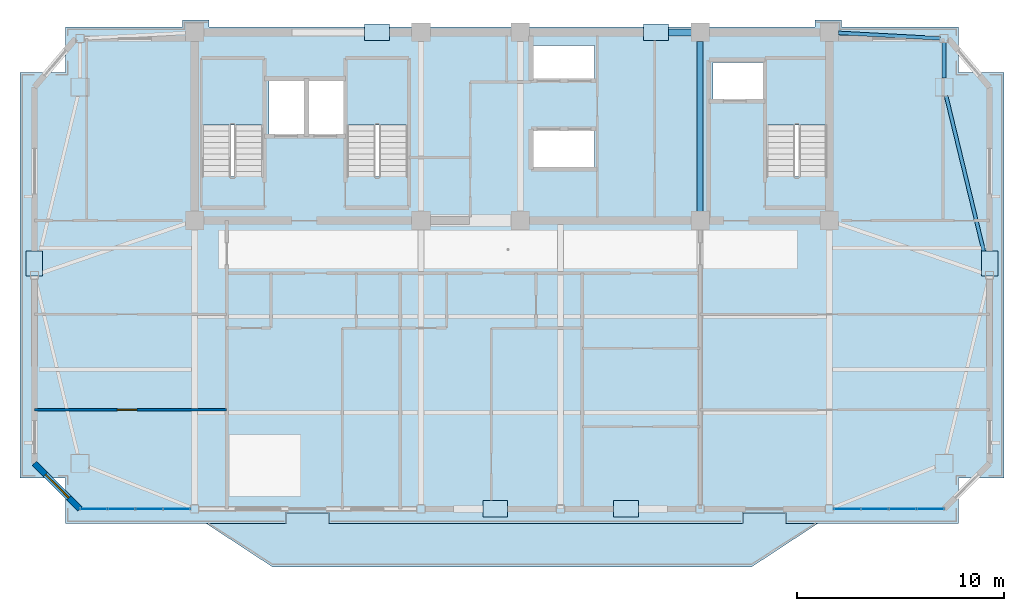
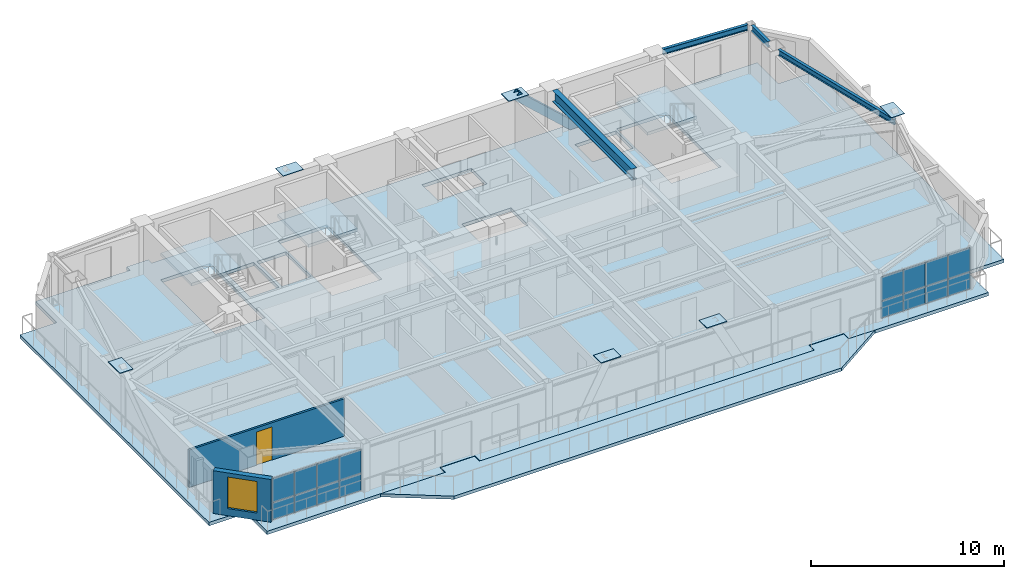
# One storey, part 5 of 13: 22 plates, 5 slabs, 4 beams, 2 walls, 1 door, 1 member, 1 window, 2 openings, 5 elements without a shape of their own.
"""IFC4 building model written with IfcOpenShell, lengths in metres."""

from ifc_helpers import new_model, si_unit, direction, frame, frame_2d, origin, origin_2d, place, context, subcontext, project, spatial, polyline, rectangle, hollow_rectangle, i_section, outline, extrude, source, transform, mapped, material, layer, layer_set, material_profile, profile_set, type_object, element, fill, aggregate, save


model = new_model("IFC4")

# Units and contexts
model_context = context("Model", 3, precision=1e-05, world=origin(), true_north=direction((0.0, 1.0)))
body_context = subcontext(model_context, "Body", "Model", "MODEL_VIEW")
ifc_project = project(units=[si_unit("LENGTHUNIT", "METRE"), si_unit("AREAUNIT", "SQUARE_METRE"), si_unit("VOLUMEUNIT", "CUBIC_METRE"), si_unit("PLANEANGLEUNIT", "RADIAN"), si_unit("MASSUNIT", "GRAM", prefix="KILO")], contexts=[model_context])

# Site, building, storey
site_placement = place(None, origin())
site = spatial("IfcSite", under=ifc_project, at=site_placement, CompositionType="ELEMENT")
building_placement = place(site_placement, origin())
building = spatial("IfcBuilding", under=site, at=building_placement, Name="Giltprow Tower", CompositionType="ELEMENT")
storey_placement = place(building_placement, frame((0.0, 0.0, 349.300048828125)))
storey = spatial("IfcBuildingStorey", under=building, at=storey_placement, Name="L91", CompositionType="ELEMENT", Elevation=349.300048828125)

# Beams
ifc_material_1 = material(Name="Structural steel Q355B", Category="steel")
ifc_material_profile_1 = material_profile(ifc_material_1, i_section(OverallWidth=0.300048828125, OverallDepth=0.699951171875, WebThickness=0.012939453125, FlangeThickness=0.02392578125, at=origin_2d()), Name="HN 700x300x13x24")
ifc_profile_set_1 = profile_set([ifc_material_profile_1], Name="Structural steel Q355B")
beam_type_1 = type_object("IfcBeamType", Name="BM-GIRD-HN700", PredefinedType="BEAM", material=ifc_profile_set_1)
shared_shape_1 = source(origin(), body_context, "Body", "SweptSolid", [
    extrude(i_section(OverallWidth=0.300048828125, OverallDepth=0.699951171875, WebThickness=0.012939453125, FlangeThickness=0.02392578125, at=origin_2d()), origin(), (0.0, 0.0, 1.0), 8.22998046875),
])
beam_1_placement = place(storey_placement, frame((44.300048828125, 37.885009765625, 2.72998046875), z_axis=(0.0, 1.0, 0.0), x_axis=(-1.0, 0.0, 0.0)))
element("IfcBeam", 1, at=beam_1_placement, inside=storey, type_object=beam_type_1, Name="L91 Core Tie Girder M3", PredefinedType="BEAM", context=body_context, shape_type="MappedRepresentation", body=[
    mapped(shared_shape_1, transform((0.0, 0.0, 0.0), x_axis=(1.0, 0.0, 0.0), y_axis=(0.0, 1.0, 0.0), z_axis=(0.0, 0.0, 1.0), scale=1.0)),
])
ifc_material_profile_2 = material_profile(ifc_material_1, i_section(OverallWidth=0.175048828125, OverallDepth=0.35009765625, WebThickness=0.007080078125, FlangeThickness=0.010986328125, at=origin_2d()), Name="HN 350x175x7x11")
ifc_profile_set_2 = profile_set([ifc_material_profile_2], Name="Structural steel Q355B")
beam_type_2 = type_object("IfcBeamType", Name="BM-SPAN-HN350", PredefinedType="SPANDREL", material=ifc_profile_set_2)
shared_shape_2 = source(origin(), body_context, "Body", "SweptSolid", [
    extrude(i_section(OverallWidth=0.175048828125, OverallDepth=0.35009765625, WebThickness=0.007080078125, FlangeThickness=0.010986328125, at=origin_2d()), origin(), (0.0, 0.0, 1.0), 8.7421875),
])
beam_2_placement = place(storey_placement, frame((58.257080078125, 34.97998046875, 2.905029296875), z_axis=(-0.235090039637, 0.971973596999, 0.0), x_axis=(-0.971973596999, -0.235090039637, 0.0)))
element("IfcBeam", 2, at=beam_2_placement, inside=storey, type_object=beam_type_2, Name="L91 Perimeter Spandrel Beam E_MID-MC_NE", PredefinedType="SPANDREL", context=body_context, shape_type="MappedRepresentation", body=[
    mapped(shared_shape_2, transform((0.0, 0.0, 0.0), x_axis=(1.0, 0.0, 0.0), y_axis=(0.0, 1.0, 0.0), z_axis=(0.0, 0.0, 1.0), scale=1.0)),
])
shared_shape_3 = source(origin(), body_context, "Body", "SweptSolid", [
    extrude(i_section(OverallWidth=0.175048828125, OverallDepth=0.35009765625, WebThickness=0.007080078125, FlangeThickness=0.010986328125, at=origin_2d()), origin(), (0.0, 0.0, 1.0), 1.72998046875),
])
beam_3_placement = place(storey_placement, frame((56.10009765625, 44.3349609375, 2.905029296875), z_axis=(0.0, 1.0, 0.0), x_axis=(-1.0, 0.0, 0.0)))
element("IfcBeam", 3, at=beam_3_placement, inside=storey, type_object=beam_type_2, Name="L91 Perimeter Spandrel Beam MC_NE-N_E", PredefinedType="SPANDREL", context=body_context, shape_type="MappedRepresentation", body=[
    mapped(shared_shape_3, transform((0.0, 0.0, 0.0), x_axis=(1.0, 0.0, 0.0), y_axis=(0.0, 1.0, 0.0), z_axis=(0.0, 0.0, 1.0), scale=1.0)),
])
shared_shape_4 = source(origin(), body_context, "Body", "SweptSolid", [
    extrude(i_section(OverallWidth=0.175048828125, OverallDepth=0.35009765625, WebThickness=0.007080078125, FlangeThickness=0.010986328125, at=origin_2d()), origin(), (0.0, 0.0, 1.0), 4.9384765625),
])
beam_4_placement = place(storey_placement, frame((50.98388671875, 46.527099609375, 2.905029296875), z_axis=(0.99853636218, -0.054084502437, 0.0), x_axis=(0.054084502437, 0.99853636218, 0.0)))
element("IfcBeam", 4, at=beam_4_placement, inside=storey, type_object=beam_type_2, Name="L91 North Wing Spandrel E", PredefinedType="SPANDREL", context=body_context, shape_type="MappedRepresentation", body=[
    mapped(shared_shape_4, transform((0.0, 0.0, 0.0), x_axis=(1.0, 0.0, 0.0), y_axis=(0.0, 1.0, 0.0), z_axis=(0.0, 0.0, 1.0), scale=1.0)),
])

# Member
ifc_material_2 = material(Name="Structural steel Q420GJC", Category="steel")
ifc_material_profile_3 = material_profile(ifc_material_2, hollow_rectangle(XDim=0.35009765625, YDim=0.5, WallThickness=0.02392578125, at=origin_2d()), Name="RHS 500x350x24")
ifc_profile_set_3 = profile_set([ifc_material_profile_3], Name="Structural steel Q420GJC")
member_type = type_object("IfcMemberType", Name="MBR-MEGA-RHS500", PredefinedType="BRACE", material=ifc_profile_set_3)
shared_shape_5 = source(origin(), body_context, "Body", "SweptSolid", [
    extrude(hollow_rectangle(XDim=0.35009765625, YDim=0.5, WallThickness=0.02392578125, at=origin_2d()), origin(), (0.0, 0.0, 1.0), 5.0390625),
])
member_placement = place(storey_placement, frame((45.881103515625, 46.550048828125, -0.14013671875), z_axis=(-0.738036395034, 0.0, 0.67476090551), x_axis=(0.0, -1.0, 0.0)))
element("IfcMember", 5, at=member_placement, inside=storey, type_object=member_type, Name="L91 Chevron Mega-Brace N-R", PredefinedType="BRACE", context=body_context, shape_type="MappedRepresentation", body=[
    mapped(shared_shape_5, transform((0.0, 0.0, 0.0), x_axis=(1.0, 0.0, 0.0), y_axis=(0.0, 1.0, 0.0), z_axis=(0.0, 0.0, 1.0), scale=1.0)),
])

# Slabs
ifc_material_3 = material(Name="Concrete C40", Category="concrete")
ifc_layer_1 = layer(ifc_material_3, 0.199951171875, Name="Concrete C40")
ifc_layer_set_1 = layer_set([ifc_layer_1], Name="Concrete C40")
slab_type_1 = type_object("IfcSlabType", Name="SLB-BALC-BRONZE-200", PredefinedType="FLOOR", material=ifc_layer_set_1)
slab_1_placement = place(storey_placement, frame((0.0, 0.0, -0.199951171875)))
element("IfcSlab", 6, at=slab_1_placement, inside=storey, type_object=slab_type_1, Name="L91 Bronze Prow Waterfront Balcony Slab", PredefinedType="FLOOR", context=body_context, shape_type="SweptSolid", body=[
    extrude(outline(polyline([(50.0, 22.800048828125), (46.800048828125, 20.699951171875), (23.60009765625, 20.699951171875), (20.39990234375, 22.800048828125), (24.280029296875, 22.800048828125), (24.280029296875, 23.300048828125), (26.320068359375, 23.300048828125), (26.320068359375, 22.800048828125), (46.3798828125, 22.800048828125), (46.3798828125, 23.300048828125), (48.419921875, 23.300048828125), (48.419921875, 22.800048828125), (50.0, 22.800048828125)])), origin(), (0.0, 0.0, 1.0), 0.199951171875),
])
ifc_layer_2 = layer(ifc_material_3, 0.215087890625, Name="Concrete C40")
ifc_layer_set_2 = layer_set([ifc_layer_2], Name="Concrete C40")
slab_type_2 = type_object("IfcSlabType", Name="SLB-RES-215", PredefinedType="FLOOR", material=ifc_layer_set_2)
slab_2_placement = place(storey_placement, frame((0.0, 0.0, -0.215087890625)))
element("IfcSlab", 7, at=slab_2_placement, inside=storey, type_object=slab_type_2, Name="L91 Structural Composite Floor Slab", PredefinedType="FLOOR", context=body_context, shape_type="SweptSolid", body=[
    extrude(outline(polyline([(59.0, 44.60009765625), (59.0, 25.0), (56.800048828125, 25.0), (56.800048828125, 22.800048828125), (48.449951171875, 22.800048828125), (48.449951171875, 23.320068359375), (46.35009765625, 23.320068359375), (46.35009765625, 22.800048828125), (26.35009765625, 22.800048828125), (26.35009765625, 23.320068359375), (24.25, 23.320068359375), (24.25, 22.800048828125), (13.60009765625, 22.800048828125), (13.60009765625, 25.0), (11.39990234375, 25.0), (11.39990234375, 44.60009765625), (13.60009765625, 44.60009765625), (13.60009765625, 46.800048828125), (19.25, 46.800048828125), (19.25, 47.14990234375), (20.550048828125, 47.14990234375), (20.550048828125, 46.800048828125), (49.85009765625, 46.800048828125), (49.85009765625, 47.14990234375), (51.14990234375, 47.14990234375), (51.14990234375, 46.800048828125), (56.800048828125, 46.800048828125), (56.800048828125, 44.60009765625), (59.0, 44.60009765625)]), holes=[polyline([(39.18994140625, 41.800048828125), (36.239990234375, 41.800048828125), (36.239990234375, 40.0), (39.18994140625, 40.0), (39.18994140625, 41.800048828125)]), polyline([(23.159912109375, 39.570068359375), (23.159912109375, 45.25), (20.199951171875, 45.25), (20.199951171875, 39.570068359375), (23.159912109375, 39.570068359375)]), polyline([(30.159912109375, 39.570068359375), (30.159912109375, 45.25), (27.199951171875, 45.25), (27.199951171875, 39.570068359375), (30.159912109375, 39.570068359375)]), polyline([(50.4599609375, 45.25), (47.5, 45.25), (47.5, 39.570068359375), (50.4599609375, 39.570068359375), (50.4599609375, 45.25)]), polyline([(25.169921875, 44.199951171875), (23.449951171875, 44.199951171875), (23.449951171875, 41.60009765625), (25.169921875, 41.60009765625), (25.169921875, 44.199951171875)]), polyline([(27.10009765625, 44.199951171875), (25.35009765625, 44.199951171875), (25.35009765625, 41.60009765625), (27.10009765625, 41.60009765625), (27.10009765625, 44.199951171875)]), polyline([(47.3798828125, 43.300048828125), (47.3798828125, 45.10009765625), (44.919921875, 45.10009765625), (44.919921875, 43.300048828125), (47.3798828125, 43.300048828125)]), polyline([(39.18994140625, 44.300048828125), (39.18994140625, 45.919921875), (36.239990234375, 45.919921875), (36.239990234375, 44.300048828125), (39.18994140625, 44.300048828125)])]), origin(), (0.0, 0.0, 1.0), 0.215087890625),
])

# Stair, slab
stair_type_1 = type_object("IfcStairType", Name="STR-ST-1", PredefinedType="HALF_TURN_STAIR", material=ifc_material_3)
stair_1_placement = place(storey_placement, origin())
stair_1 = element("IfcStair", 8, at=stair_1_placement, inside=storey, type_object=stair_type_1, Name="L91 Core Exit Stair ST-1", PredefinedType="HALF_TURN_STAIR")
ifc_layer_3 = layer(ifc_material_3, 0.179931640625, Name="Concrete C40")
ifc_layer_set_3 = layer_set([ifc_layer_3], Name="Concrete C40")
slab_type_3 = type_object("IfcSlabType", Name="SLD-ST-1", PredefinedType="LANDING", material=ifc_layer_set_3)
slab_3_placement = place(storey_placement, frame((0.0, 0.0, 1.52001953125)))
slab_3 = element("IfcSlab", 9, at=slab_3_placement, type_object=slab_type_3, Name="ST-1 landing 1", PredefinedType="LANDING", context=body_context, shape_type="SweptSolid", body=[
    extrude(outline(polyline([(23.159912109375, 42.070068359375), (23.159912109375, 45.25), (20.199951171875, 45.25), (20.199951171875, 42.070068359375), (23.159912109375, 42.070068359375)])), origin(), (0.0, 0.0, 1.0), 0.179931640625),
])
aggregate(stair_1, [slab_3])

stair_type_2 = type_object("IfcStairType", Name="STR-ST-2", PredefinedType="HALF_TURN_STAIR", material=ifc_material_3)
stair_2_placement = place(storey_placement, origin())
stair_2 = element("IfcStair", 10, at=stair_2_placement, inside=storey, type_object=stair_type_2, Name="L91 Core Exit Stair ST-2", PredefinedType="HALF_TURN_STAIR")
ifc_layer_4 = layer(ifc_material_3, 0.18798828125, Name="Concrete C40")
ifc_layer_set_4 = layer_set([ifc_layer_4], Name="Concrete C40")
slab_type_4 = type_object("IfcSlabType", Name="SLD-ST-2", PredefinedType="LANDING", material=ifc_layer_set_4)
slab_4_placement = place(storey_placement, frame((0.0, 0.0, 1.511962890625)))
slab_4 = element("IfcSlab", 11, at=slab_4_placement, type_object=slab_type_4, Name="ST-2 landing 1", PredefinedType="LANDING", context=body_context, shape_type="SweptSolid", body=[
    extrude(outline(polyline([(30.159912109375, 42.070068359375), (30.159912109375, 45.25), (27.199951171875, 45.25), (27.199951171875, 42.070068359375), (30.159912109375, 42.070068359375)])), origin(), (0.0, 0.0, 1.0), 0.18798828125),
])
aggregate(stair_2, [slab_4])

stair_type_3 = type_object("IfcStairType", Name="STR-ST-3", PredefinedType="HALF_TURN_STAIR", material=ifc_material_3)
stair_3_placement = place(storey_placement, origin())
stair_3 = element("IfcStair", 12, at=stair_3_placement, inside=storey, type_object=stair_type_3, Name="L91 Core Exit Stair ST-3", PredefinedType="HALF_TURN_STAIR")
ifc_layer_5 = layer(ifc_material_3, 0.196044921875, Name="Concrete C40")
ifc_layer_set_5 = layer_set([ifc_layer_5], Name="Concrete C40")
slab_type_5 = type_object("IfcSlabType", Name="SLD-ST-3", PredefinedType="LANDING", material=ifc_layer_set_5)
slab_5_placement = place(storey_placement, frame((0.0, 0.0, 1.50390625)))
slab_5 = element("IfcSlab", 13, at=slab_5_placement, type_object=slab_type_5, Name="ST-3 landing 1", PredefinedType="LANDING", context=body_context, shape_type="SweptSolid", body=[
    extrude(outline(polyline([(50.4599609375, 42.070068359375), (50.4599609375, 45.25), (47.5, 45.25), (47.5, 42.070068359375), (50.4599609375, 42.070068359375)])), origin(), (0.0, 0.0, 1.0), 0.196044921875),
])
aggregate(stair_3, [slab_5])

# Plates
plate_type_1 = type_object("IfcPlateType", Name="PLT-CAP-SEAL", PredefinedType="USERDEFINED", material=ifc_material_2)
shared_shape_6 = source(origin(), body_context, "Body", "SweptSolid", [
    extrude(rectangle(XDim=1.199951171875, YDim=0.800048828125, at=origin_2d()), origin(), (0.0, 0.0, 1.0), 0.034912109375),
])
for number, where, z_axis, x_axis, name in (
    (14, (34.385986328125, 23.5, 3.38232421875), (0.0, 0.0, 1.0), (1.0, 0.0, 0.0), "Mega-Brace Node L91-S-LB"),
    (15, (40.714111328125, 23.5, 3.38232421875), (0.0, 0.0, 1.0), (1.0, 0.0, 0.0), "Mega-Brace Node L91-S-RB"),
    (16, (28.6630859375, 46.550048828125, 3.24267578125), (0.0, 0.0, 1.0), (1.0, 0.0, 0.0), "Mega-Brace Node L91-N-LB"),
    (17, (42.162109375, 46.550048828125, 3.24267578125), (0.0, 0.0, 1.0), (1.0, 0.0, 0.0), "Mega-Brace Node L91-N-RB"),
    (18, (12.10009765625, 35.368896484375, 3.38232421875), (0.0, 0.0, 1.0), (0.0, 1.0, 0.0), "Mega-Brace Node L91-W-DB"),
    (19, (58.300048828125, 35.368896484375, 3.38232421875), (0.0, 0.0, 1.0), (0.0, 1.0, 0.0), "Mega-Brace Node L91-E-DB"),
):
    element("IfcPlate", number, at=place(storey_placement, frame(where, z_axis=z_axis, x_axis=x_axis)), inside=storey, type_object=plate_type_1, Name=name, ObjectType="SPLICE", PredefinedType="USERDEFINED", context=body_context, shape_type="MappedRepresentation", body=[
        mapped(shared_shape_6, transform((0.0, 0.0, 0.0), x_axis=(1.0, 0.0, 0.0), y_axis=(0.0, 1.0, 0.0), z_axis=(0.0, 0.0, 1.0), scale=1.0)),
    ])

# Curtain wall, plates
ifc_material_4 = material(Name="Anodized bronze", Category="metal")
ifc_layer_6 = layer(ifc_material_4, 0.179931640625, Name="Anodized bronze")
ifc_layer_set_6 = layer_set([ifc_layer_6], Name="Anodized bronze")
curtain_wall_type = type_object("IfcCurtainWallType", Name="CW-RES-SKY", PredefinedType="NOTDEFINED", material=ifc_layer_set_6)
curtain_wall_1_placement = place(storey_placement, origin())
curtain_wall_1 = element("IfcCurtainWall", 20, at=curtain_wall_1_placement, inside=storey, type_object=curtain_wall_type, Name="L91 South Recessed Curtain Wall 1", PredefinedType="NOTDEFINED")
ifc_material_5 = material(Name="Insulated glass", Category="glass")
plate_type_2 = type_object("IfcPlateType", Name="CW-PANEL-IGU-28", PredefinedType="CURTAIN_PANEL", material=ifc_material_5)
shared_shape_7 = source(origin(), body_context, "Body", "SweptSolid", [
    extrude(rectangle(XDim=1.306884765625, YDim=0.028076171875, at=origin_2d()), origin(), (0.0, 0.0, 1.0), 1.070068359375),
])
plate_1_placement = place(storey_placement, frame((14.968994140625, 23.5, 0.0537109375), z_axis=(0.0, 0.0, 1.0), x_axis=(1.0, 0.0, 0.0)))
plate_1 = element("IfcPlate", 21, at=plate_1_placement, type_object=plate_type_2, Name="L91 South Recessed Curtain Wall 1 Glazing Panel 1-1", PredefinedType="CURTAIN_PANEL", context=body_context, shape_type="MappedRepresentation", body=[
    mapped(shared_shape_7, transform((0.0, 0.0, 0.0), x_axis=(1.0, 0.0, 0.0), y_axis=(0.0, 1.0, 0.0), z_axis=(0.0, 0.0, 1.0), scale=1.0)),
])
plate_2_placement = place(storey_placement, frame((16.305908203125, 23.5, 0.0537109375), z_axis=(0.0, 0.0, 1.0), x_axis=(1.0, 0.0, 0.0)))
plate_2 = element("IfcPlate", 22, at=plate_2_placement, type_object=plate_type_2, Name="L91 South Recessed Curtain Wall 1 Glazing Panel 2-1", PredefinedType="CURTAIN_PANEL", context=body_context, shape_type="MappedRepresentation", body=[
    mapped(shared_shape_7, transform((0.0, 0.0, 0.0), x_axis=(1.0, 0.0, 0.0), y_axis=(0.0, 1.0, 0.0), z_axis=(0.0, 0.0, 1.0), scale=1.0)),
])
plate_3_placement = place(storey_placement, frame((17.64404296875, 23.5, 0.0537109375), z_axis=(0.0, 0.0, 1.0), x_axis=(1.0, 0.0, 0.0)))
plate_3 = element("IfcPlate", 23, at=plate_3_placement, type_object=plate_type_2, Name="L91 South Recessed Curtain Wall 1 Glazing Panel 3-1", PredefinedType="CURTAIN_PANEL", context=body_context, shape_type="MappedRepresentation", body=[
    mapped(shared_shape_7, transform((0.0, 0.0, 0.0), x_axis=(1.0, 0.0, 0.0), y_axis=(0.0, 1.0, 0.0), z_axis=(0.0, 0.0, 1.0), scale=1.0)),
])
plate_4_placement = place(storey_placement, frame((18.98095703125, 23.5, 0.0537109375), z_axis=(0.0, 0.0, 1.0), x_axis=(1.0, 0.0, 0.0)))
plate_4 = element("IfcPlate", 24, at=plate_4_placement, type_object=plate_type_2, Name="L91 South Recessed Curtain Wall 1 Glazing Panel 4-1", PredefinedType="CURTAIN_PANEL", context=body_context, shape_type="MappedRepresentation", body=[
    mapped(shared_shape_7, transform((0.0, 0.0, 0.0), x_axis=(1.0, 0.0, 0.0), y_axis=(0.0, 1.0, 0.0), z_axis=(0.0, 0.0, 1.0), scale=1.0)),
])

curtain_wall_2_placement = place(storey_placement, origin())
curtain_wall_2 = element("IfcCurtainWall", 25, at=curtain_wall_2_placement, inside=storey, type_object=curtain_wall_type, Name="L91 South Recessed Curtain Wall 6", PredefinedType="NOTDEFINED")
plate_5_placement = place(storey_placement, frame((54.093994140625, 23.5, 0.0537109375), z_axis=(0.0, 0.0, 1.0), x_axis=(1.0, 0.0, 0.0)))
plate_5 = element("IfcPlate", 26, at=plate_5_placement, type_object=plate_type_2, Name="L91 South Recessed Curtain Wall 6 Glazing Panel 3-1", PredefinedType="CURTAIN_PANEL", context=body_context, shape_type="MappedRepresentation", body=[
    mapped(shared_shape_7, transform((0.0, 0.0, 0.0), x_axis=(1.0, 0.0, 0.0), y_axis=(0.0, 1.0, 0.0), z_axis=(0.0, 0.0, 1.0), scale=1.0)),
])
plate_6_placement = place(storey_placement, frame((55.430908203125, 23.5, 0.0537109375), z_axis=(0.0, 0.0, 1.0), x_axis=(1.0, 0.0, 0.0)))
plate_6 = element("IfcPlate", 27, at=plate_6_placement, type_object=plate_type_2, Name="L91 South Recessed Curtain Wall 6 Glazing Panel 4-1", PredefinedType="CURTAIN_PANEL", context=body_context, shape_type="MappedRepresentation", body=[
    mapped(shared_shape_7, transform((0.0, 0.0, 0.0), x_axis=(1.0, 0.0, 0.0), y_axis=(0.0, 1.0, 0.0), z_axis=(0.0, 0.0, 1.0), scale=1.0)),
])

# Plate
shared_shape_8 = source(origin(), body_context, "Body", "SweptSolid", [
    extrude(rectangle(XDim=1.306884765625, YDim=0.028076171875, at=origin_2d()), origin(), (0.0, 0.0, 1.0), 1.50390625),
])
plate_7_placement = place(storey_placement, frame((14.968994140625, 23.5, 1.152099609375), z_axis=(0.0, 0.0, 1.0), x_axis=(1.0, 0.0, 0.0)))
plate_7 = element("IfcPlate", 28, at=plate_7_placement, type_object=plate_type_2, Name="L91 South Recessed Curtain Wall 1 Glazing Panel 1-2", PredefinedType="CURTAIN_PANEL", context=body_context, shape_type="MappedRepresentation", body=[
    mapped(shared_shape_8, transform((0.0, 0.0, 0.0), x_axis=(1.0, 0.0, 0.0), y_axis=(0.0, 1.0, 0.0), z_axis=(0.0, 0.0, 1.0), scale=1.0)),
])

plate_8_placement = place(storey_placement, frame((16.305908203125, 23.5, 1.152099609375), z_axis=(0.0, 0.0, 1.0), x_axis=(1.0, 0.0, 0.0)))
plate_8 = element("IfcPlate", 29, at=plate_8_placement, type_object=plate_type_2, Name="L91 South Recessed Curtain Wall 1 Glazing Panel 2-2", PredefinedType="CURTAIN_PANEL", context=body_context, shape_type="MappedRepresentation", body=[
    mapped(shared_shape_8, transform((0.0, 0.0, 0.0), x_axis=(1.0, 0.0, 0.0), y_axis=(0.0, 1.0, 0.0), z_axis=(0.0, 0.0, 1.0), scale=1.0)),
])

plate_9_placement = place(storey_placement, frame((17.64404296875, 23.5, 1.152099609375), z_axis=(0.0, 0.0, 1.0), x_axis=(1.0, 0.0, 0.0)))
plate_9 = element("IfcPlate", 30, at=plate_9_placement, type_object=plate_type_2, Name="L91 South Recessed Curtain Wall 1 Glazing Panel 3-2", PredefinedType="CURTAIN_PANEL", context=body_context, shape_type="MappedRepresentation", body=[
    mapped(shared_shape_8, transform((0.0, 0.0, 0.0), x_axis=(1.0, 0.0, 0.0), y_axis=(0.0, 1.0, 0.0), z_axis=(0.0, 0.0, 1.0), scale=1.0)),
])

plate_10_placement = place(storey_placement, frame((18.98095703125, 23.5, 1.152099609375), z_axis=(0.0, 0.0, 1.0), x_axis=(1.0, 0.0, 0.0)))
plate_10 = element("IfcPlate", 31, at=plate_10_placement, type_object=plate_type_2, Name="L91 South Recessed Curtain Wall 1 Glazing Panel 4-2", PredefinedType="CURTAIN_PANEL", context=body_context, shape_type="MappedRepresentation", body=[
    mapped(shared_shape_8, transform((0.0, 0.0, 0.0), x_axis=(1.0, 0.0, 0.0), y_axis=(0.0, 1.0, 0.0), z_axis=(0.0, 0.0, 1.0), scale=1.0)),
])

aggregate(curtain_wall_1, [plate_1, plate_7, plate_2, plate_8, plate_3, plate_9, plate_4, plate_10])

plate_11_placement = place(storey_placement, frame((54.093994140625, 23.5, 1.152099609375), z_axis=(0.0, 0.0, 1.0), x_axis=(1.0, 0.0, 0.0)))
plate_11 = element("IfcPlate", 32, at=plate_11_placement, type_object=plate_type_2, Name="L91 South Recessed Curtain Wall 6 Glazing Panel 3-2", PredefinedType="CURTAIN_PANEL", context=body_context, shape_type="MappedRepresentation", body=[
    mapped(shared_shape_8, transform((0.0, 0.0, 0.0), x_axis=(1.0, 0.0, 0.0), y_axis=(0.0, 1.0, 0.0), z_axis=(0.0, 0.0, 1.0), scale=1.0)),
])

plate_12_placement = place(storey_placement, frame((55.430908203125, 23.5, 1.152099609375), z_axis=(0.0, 0.0, 1.0), x_axis=(1.0, 0.0, 0.0)))
plate_12 = element("IfcPlate", 33, at=plate_12_placement, type_object=plate_type_2, Name="L91 South Recessed Curtain Wall 6 Glazing Panel 4-2", PredefinedType="CURTAIN_PANEL", context=body_context, shape_type="MappedRepresentation", body=[
    mapped(shared_shape_8, transform((0.0, 0.0, 0.0), x_axis=(1.0, 0.0, 0.0), y_axis=(0.0, 1.0, 0.0), z_axis=(0.0, 0.0, 1.0), scale=1.0)),
])

shared_shape_9 = source(origin(), body_context, "Body", "SweptSolid", [
    extrude(rectangle(XDim=1.30810546875, YDim=0.028076171875, at=origin_2d()), origin(), (0.0, 0.0, 1.0), 1.070068359375),
])
plate_13_placement = place(storey_placement, frame((51.4189453125, 23.5, 0.0537109375), z_axis=(0.0, 0.0, 1.0), x_axis=(1.0, 0.0, 0.0)))
plate_13 = element("IfcPlate", 34, at=plate_13_placement, type_object=plate_type_2, Name="L91 South Recessed Curtain Wall 6 Glazing Panel 1-1", PredefinedType="CURTAIN_PANEL", context=body_context, shape_type="MappedRepresentation", body=[
    mapped(shared_shape_9, transform((0.0, 0.0, 0.0), x_axis=(1.0, 0.0, 0.0), y_axis=(0.0, 1.0, 0.0), z_axis=(0.0, 0.0, 1.0), scale=1.0)),
])

plate_14_placement = place(storey_placement, frame((52.756103515625, 23.5, 0.0537109375), z_axis=(0.0, 0.0, 1.0), x_axis=(1.0, 0.0, 0.0)))
plate_14 = element("IfcPlate", 35, at=plate_14_placement, type_object=plate_type_2, Name="L91 South Recessed Curtain Wall 6 Glazing Panel 2-1", PredefinedType="CURTAIN_PANEL", context=body_context, shape_type="MappedRepresentation", body=[
    mapped(shared_shape_9, transform((0.0, 0.0, 0.0), x_axis=(1.0, 0.0, 0.0), y_axis=(0.0, 1.0, 0.0), z_axis=(0.0, 0.0, 1.0), scale=1.0)),
])

shared_shape_10 = source(origin(), body_context, "Body", "SweptSolid", [
    extrude(rectangle(XDim=1.30810546875, YDim=0.028076171875, at=origin_2d()), origin(), (0.0, 0.0, 1.0), 1.50390625),
])
plate_15_placement = place(storey_placement, frame((51.4189453125, 23.5, 1.152099609375), z_axis=(0.0, 0.0, 1.0), x_axis=(1.0, 0.0, 0.0)))
plate_15 = element("IfcPlate", 36, at=plate_15_placement, type_object=plate_type_2, Name="L91 South Recessed Curtain Wall 6 Glazing Panel 1-2", PredefinedType="CURTAIN_PANEL", context=body_context, shape_type="MappedRepresentation", body=[
    mapped(shared_shape_10, transform((0.0, 0.0, 0.0), x_axis=(1.0, 0.0, 0.0), y_axis=(0.0, 1.0, 0.0), z_axis=(0.0, 0.0, 1.0), scale=1.0)),
])

plate_16_placement = place(storey_placement, frame((52.756103515625, 23.5, 1.152099609375), z_axis=(0.0, 0.0, 1.0), x_axis=(1.0, 0.0, 0.0)))
plate_16 = element("IfcPlate", 37, at=plate_16_placement, type_object=plate_type_2, Name="L91 South Recessed Curtain Wall 6 Glazing Panel 2-2", PredefinedType="CURTAIN_PANEL", context=body_context, shape_type="MappedRepresentation", body=[
    mapped(shared_shape_10, transform((0.0, 0.0, 0.0), x_axis=(1.0, 0.0, 0.0), y_axis=(0.0, 1.0, 0.0), z_axis=(0.0, 0.0, 1.0), scale=1.0)),
])

aggregate(curtain_wall_2, [plate_13, plate_15, plate_14, plate_16, plate_5, plate_11, plate_6, plate_12])

# Wall, opening, window
ifc_material_6 = material(Name="Precast concrete C40", Category="concrete")
ifc_layer_7 = layer(ifc_material_6, 0.300048828125, Name="Precast concrete C40")
ifc_layer_set_7 = layer_set([ifc_layer_7], Name="Precast concrete C40")
wall_type_1 = type_object("IfcWallType", Name="EW-NOTCH-CHAMFER-300", PredefinedType="SOLIDWALL", material=ifc_layer_set_7)
wall_1_placement = place(storey_placement, frame((12.10009765625, 25.699951171875, 0.0), z_axis=(0.0, 0.0, 1.0), x_axis=(0.707106781187, -0.707106781187, 0.0)))
wall_1 = element("IfcWall", 38, at=wall_1_placement, inside=storey, type_object=wall_type_1, Name="L91 Corner Notch Wall SW", PredefinedType="SOLIDWALL", context=body_context, shape_type="SweptSolid", body=[
    extrude(rectangle(XDim=3.111083984375, YDim=0.300048828125, at=frame_2d((1.5556640625, 0.0))), origin(), (0.0, 0.0, 1.0), 2.7099609375),
])
opening_1_placement = place(wall_1_placement, frame((0.756103515625, 0.0, 0.449951171875)))
opening_1 = element("IfcOpeningElement", 39, at=opening_1_placement, cuts=wall_1, Name="Opening WN17", PredefinedType="OPENING", context=body_context, shape_type="SweptSolid", body=[
    extrude(rectangle(XDim=1.60009765625, YDim=2.0, at=frame_2d((0.800048828125, 1.0))), frame((0.0, 0.159912109375, 0.0), z_axis=(0.0, -1.0, 0.0), x_axis=(1.0, 0.0, 0.0)), (0.0, 0.0, 1.0), 0.320068359375),
])
window_type = type_object("IfcWindowType", Name="WN-COR-1600x2000", PartitioningType="SINGLE_PANEL", PredefinedType="WINDOW", material=ifc_material_5)
shared_shape_11 = source(origin(), body_context, "Body", "SweptSolid", [
    extrude(rectangle(XDim=1.60009765625, YDim=2.0, at=frame_2d((0.800048828125, 1.0))), frame((0.0, 0.030029296875, 0.0), z_axis=(0.0, -1.0, 0.0), x_axis=(1.0, 0.0, 0.0)), (0.0, 0.0, 1.0), 0.06005859375),
])
window_placement = place(opening_1_placement, origin())
window = element("IfcWindow", 40, at=window_placement, inside=storey, type_object=window_type, Name="L91 Corner Notch Window SW", OverallHeight=2.0, OverallWidth=1.60009765625, PartitioningType="SINGLE_PANEL", PredefinedType="WINDOW", context=body_context, shape_type="MappedRepresentation", body=[
    mapped(shared_shape_11, transform((0.0, 0.0, 0.0), x_axis=(1.0, 0.0, 0.0), y_axis=(0.0, 1.0, 0.0), z_axis=(0.0, 0.0, 1.0), scale=1.0)),
])
fill(opening_1, window)

# Wall, opening, door
ifc_material_7 = material(Name="Gypsum stud partition", Category="gypsum")
ifc_layer_8 = layer(ifc_material_7, 0.1201171875, Name="Gypsum stud partition")
ifc_layer_set_8 = layer_set([ifc_layer_8], Name="Gypsum stud partition")
wall_type_2 = type_object("IfcWallType", Name="IW-ROOM-120", PredefinedType="PARTITIONING", material=ifc_layer_set_8)
wall_2_placement = place(storey_placement, frame((12.10009765625, 28.306884765625, 0.0), z_axis=(0.0, 0.0, 1.0), x_axis=(1.0, 0.0, 0.0)))
wall_2 = element("IfcWall", 41, at=wall_2_placement, inside=storey, type_object=wall_type_2, Name="L91 Special Split 1", PredefinedType="PARTITIONING", context=body_context, shape_type="SweptSolid", body=[
    extrude(rectangle(XDim=9.2998046875, YDim=0.1201171875, at=frame_2d((4.64990234375, 0.0))), origin(), (0.0, 0.0, 1.0), 2.364990234375),
])
opening_2_placement = place(wall_2_placement, frame((4.006103515625, 0.0, 0.0)))
opening_2 = element("IfcOpeningElement", 42, at=opening_2_placement, cuts=wall_2, Name="Opening ID11", PredefinedType="OPENING", context=body_context, shape_type="SweptSolid", body=[
    extrude(rectangle(XDim=0.949951171875, YDim=2.10009765625, at=frame_2d((0.47509765625, 1.050048828125))), frame((0.0, 0.070068359375, 0.0), z_axis=(0.0, -1.0, 0.0), x_axis=(1.0, 0.0, 0.0)), (0.0, 0.0, 1.0), 0.14013671875),
])
ifc_material_8 = material(Name="Engineered timber", Category="wood")
door_type = type_object("IfcDoorType", Name="DR-ROOM-950", OperationType="SINGLE_SWING_RIGHT", PredefinedType="DOOR", material=ifc_material_8)
shared_shape_12 = source(origin(), body_context, "Body", "SweptSolid", [
    extrude(rectangle(XDim=0.949951171875, YDim=2.10009765625, at=frame_2d((0.47509765625, 1.050048828125))), frame((0.0, 0.02490234375, 0.0), z_axis=(0.0, -1.0, 0.0), x_axis=(1.0, 0.0, 0.0)), (0.0, 0.0, 1.0), 0.050048828125),
])
door_placement = place(opening_2_placement, origin())
door = element("IfcDoor", 43, at=door_placement, inside=storey, type_object=door_type, Name="L91 Penthouse Briefing Meeting Room 1 South Door", OperationType="SINGLE_SWING_RIGHT", OverallHeight=2.10009765625, OverallWidth=0.949951171875, PredefinedType="DOOR", context=body_context, shape_type="MappedRepresentation", body=[
    mapped(shared_shape_12, transform((0.0, 0.0, 0.0), x_axis=(1.0, 0.0, 0.0), y_axis=(0.0, 1.0, 0.0), z_axis=(0.0, 0.0, 1.0), scale=1.0)),
])
fill(opening_2, door)

save(model, "model.ifc")
